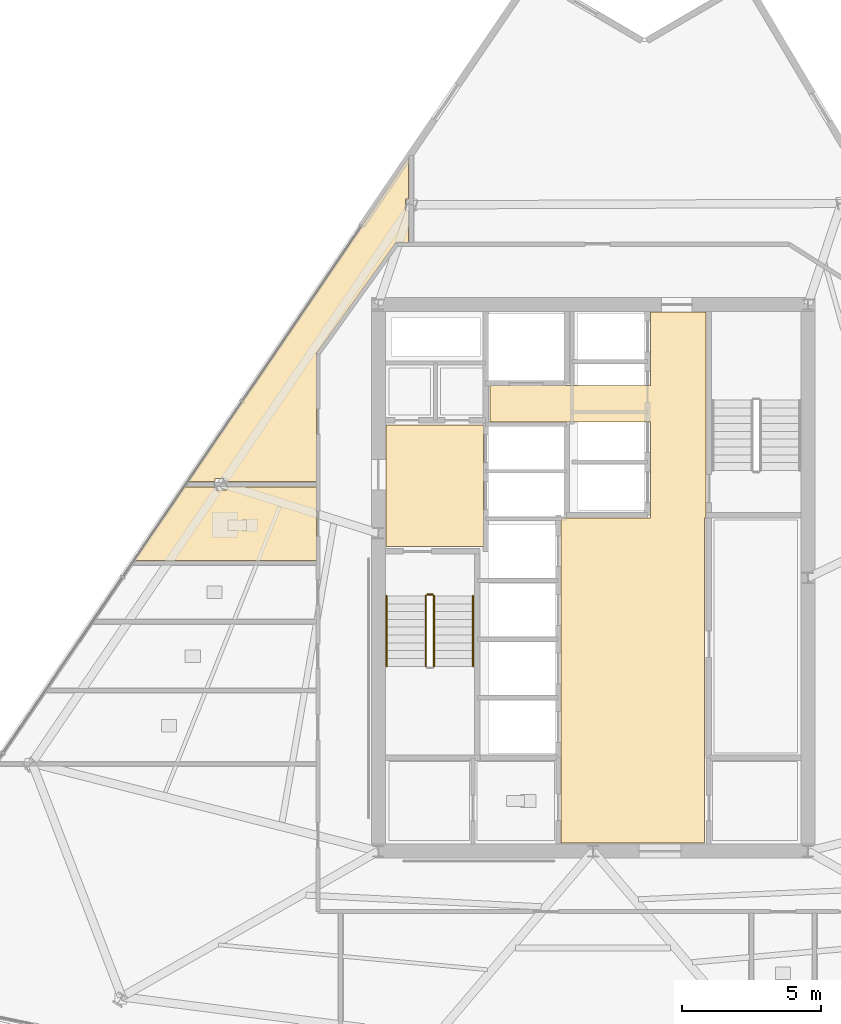
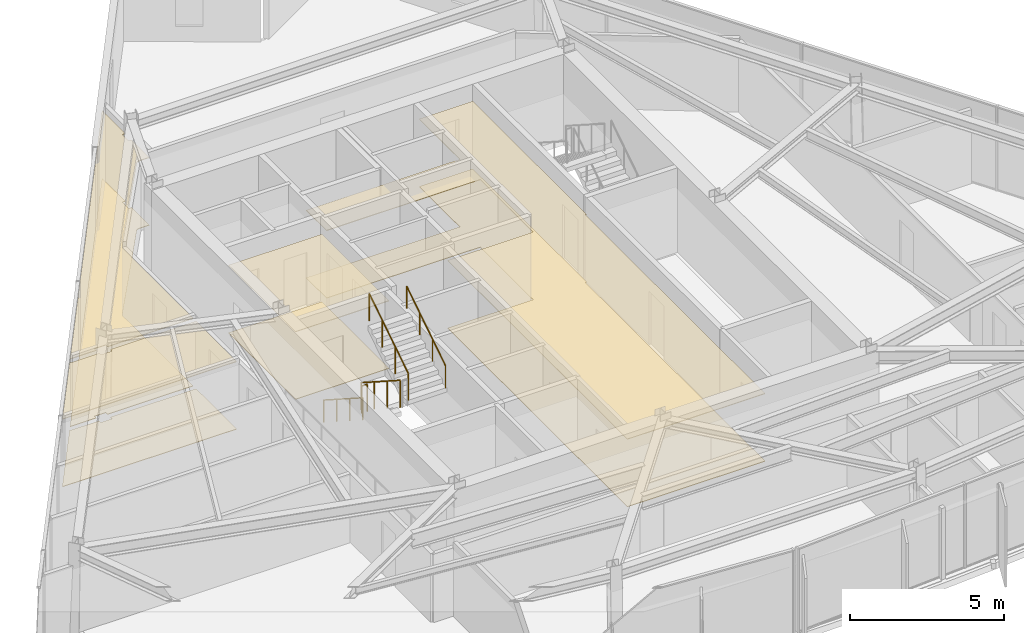
# One storey, part 12 of 15: 8 coverings, 5 railings.
"""IFC4 building model written with IfcOpenShell, lengths in metres."""

from ifc_helpers import new_model, si_unit, direction, frame, origin, origin_2d, place, context, subcontext, project, spatial, polyline, circle, outline, extrude, material, layer, layer_set, type_object, element, save


model = new_model("IFC4")

# Units and contexts
model_context = context("Model", 3, precision=1e-05, world=origin(), true_north=direction((0.0, 1.0)))
body_context = subcontext(model_context, "Body", "Model", "MODEL_VIEW")
ifc_project = project(units=[si_unit("LENGTHUNIT", "METRE"), si_unit("AREAUNIT", "SQUARE_METRE"), si_unit("VOLUMEUNIT", "CUBIC_METRE"), si_unit("PLANEANGLEUNIT", "RADIAN"), si_unit("MASSUNIT", "GRAM", prefix="KILO")], contexts=[model_context])

# Site, building, storey
site_placement = place(None, origin())
site = spatial("IfcSite", under=ifc_project, at=site_placement, CompositionType="ELEMENT")
building_placement = place(site_placement, origin())
building = spatial("IfcBuilding", under=site, at=building_placement, Name="Savorim Split Tower", CompositionType="ELEMENT")
storey_placement = place(building_placement, frame((0.0, 0.0, 198.300048828125)))
storey = spatial("IfcBuildingStorey", under=building, at=storey_placement, Name="L52", CompositionType="ELEMENT", Elevation=198.300048828125)

# Coverings
ifc_material_1 = material(Name="Mineral Fibre Acoustic Ceiling")
ifc_layer_1 = layer(ifc_material_1, 0.02490234375)
ifc_layer_set_1 = layer_set([ifc_layer_1], Name="COV-CEIL-25")
covering_type_1 = type_object("IfcCoveringType", Name="COV-CEIL-25", PredefinedType="CEILING", material=ifc_layer_set_1)
covering_1_placement = place(storey_placement, frame((0.0, 0.0, 2.669921875)))
element("IfcCovering", 1, at=covering_1_placement, inside=storey, type_object=covering_type_1, Name="L52 Firefighting Lift Lobby Acoustic Ceiling", PredefinedType="CEILING", context=body_context, shape_type="SweptSolid", body=[
    extrude(outline(polyline([(-7.429931640625, 5.8701171875), (-7.429931640625, 1.530029296875), (-3.929931640625, 1.530029296875), (-3.929931640625, 5.8701171875), (-7.429931640625, 5.8701171875)])), origin(), (0.0, 0.0, 1.0), 0.025146484375),
])
covering_2_placement = place(storey_placement, frame((0.0, 0.0, 2.669921875)))
element("IfcCovering", 2, at=covering_2_placement, inside=storey, type_object=covering_type_1, Name="L52 Lift Lobby Acoustic Ceiling", PredefinedType="CEILING", context=body_context, shape_type="SweptSolid", body=[
    extrude(outline(polyline([(2.050048828125, 2.550048828125), (-1.14990234375, 2.550048828125), (-1.14990234375, -9.10009765625), (4.0, -9.10009765625), (4.0, 2.550048828125), (4.050048828125, 2.550048828125), (4.050048828125, 5.97998046875), (4.050048828125, 7.300048828125), (4.050048828125, 9.929931640625), (2.050048828125, 9.929931640625), (2.050048828125, 7.300048828125), (-3.699951171875, 7.300048828125), (-3.699951171875, 5.97998046875), (2.050048828125, 5.97998046875), (2.050048828125, 2.550048828125)])), origin(), (0.0, 0.0, 1.0), 0.025146484375),
])
covering_3_placement = place(storey_placement, frame((0.0, 0.0, 2.669921875)))
element("IfcCovering", 3, at=covering_3_placement, inside=storey, type_object=covering_type_1, Name="L52 Co-Living Bedroom Acoustic Ceiling", PredefinedType="CEILING", context=body_context, shape_type="SweptSolid", body=[
    extrude(outline(polyline([(-7.01318359375, 12.41943359375), (-7.0, 12.419921875), (-6.61376953125, 12.419921875), (-6.61376953125, 13.572509765625), (-6.727783203125, 13.572509765625), (-6.727783203125, 13.9794921875), (-6.61376953125, 13.9794921875), (-6.61376953125, 15.48095703125), (-14.52880859375, 3.845703125), (-13.547607421875, 3.845703125), (-13.547607421875, 3.9541015625), (-13.129638671875, 3.9541015625), (-13.129638671875, 3.845703125), (-9.919921875, 3.845703125), (-9.919921875, 8.39990234375), (-9.919189453125, 8.41455078125), (-9.9169921875, 8.4287109375), (-9.913330078125, 8.44287109375), (-9.908203125, 8.456298828125), (-9.901611328125, 8.46923828125), (-9.893798828125, 8.4814453125), (-7.11376953125, 12.361572265625), (-7.105712890625, 12.3720703125), (-7.096435546875, 12.381591796875), (-7.086181640625, 12.39013671875), (-7.075439453125, 12.39794921875), (-7.06396484375, 12.404541015625), (-7.052001953125, 12.409912109375), (-7.039306640625, 12.414306640625), (-7.0263671875, 12.41748046875), (-7.01318359375, 12.41943359375)])), origin(), (0.0, 0.0, 1.0), 0.025146484375),
])
covering_4_placement = place(storey_placement, frame((0.0, 0.0, 2.669921875)))
element("IfcCovering", 4, at=covering_4_placement, inside=storey, type_object=covering_type_1, Name="L52 Shared Bathroom Acoustic Ceiling", PredefinedType="CEILING", context=body_context, shape_type="SweptSolid", body=[
    extrude(outline(polyline([(-13.547607421875, 3.65576171875), (-14.532958984375, 3.65576171875), (-14.6279296875, 3.65576171875), (-14.6279296875, 3.699951171875), (-16.4443359375, 1.030029296875), (-9.919921875, 1.030029296875), (-9.919921875, 3.65576171875), (-13.129638671875, 3.65576171875), (-13.129638671875, 3.547119140625), (-13.547607421875, 3.547119140625), (-13.547607421875, 3.65576171875)])), origin(), (0.0, 0.0, 1.0), 0.025146484375),
])
ifc_material_2 = material(Name="Porcelain Stoneware Flooring", Category="masonry")
ifc_layer_2 = layer(ifc_material_2, 0.02001953125)
ifc_layer_set_2 = layer_set([ifc_layer_2], Name="COV-FLOR-20")
covering_type_2 = type_object("IfcCoveringType", Name="COV-FLOR-20", PredefinedType="FLOORING", material=ifc_layer_set_2)
covering_5_placement = place(storey_placement, origin())
element("IfcCovering", 5, at=covering_5_placement, inside=storey, type_object=covering_type_2, Name="L52 Firefighting Lift Lobby Porcelain Flooring", PredefinedType="FLOORING", context=body_context, shape_type="SweptSolid", body=[
    extrude(outline(polyline([(-7.429931640625, 5.8701171875), (-7.429931640625, 1.530029296875), (-3.929931640625, 1.530029296875), (-3.929931640625, 5.8701171875), (-7.429931640625, 5.8701171875)])), origin(), (0.0, 0.0, 1.0), 0.02001953125),
])
covering_6_placement = place(storey_placement, origin())
element("IfcCovering", 6, at=covering_6_placement, inside=storey, type_object=covering_type_2, Name="L52 Lift Lobby Porcelain Flooring", PredefinedType="FLOORING", context=body_context, shape_type="SweptSolid", body=[
    extrude(outline(polyline([(2.050048828125, 2.550048828125), (-1.14990234375, 2.550048828125), (-1.14990234375, -9.10009765625), (4.0, -9.10009765625), (4.0, 2.550048828125), (4.050048828125, 2.550048828125), (4.050048828125, 5.97998046875), (4.050048828125, 7.300048828125), (4.050048828125, 9.929931640625), (2.050048828125, 9.929931640625), (2.050048828125, 7.300048828125), (-3.699951171875, 7.300048828125), (-3.699951171875, 5.97998046875), (2.050048828125, 5.97998046875), (2.050048828125, 2.550048828125)])), origin(), (0.0, 0.0, 1.0), 0.02001953125),
])
covering_7_placement = place(storey_placement, origin())
element("IfcCovering", 7, at=covering_7_placement, inside=storey, type_object=covering_type_2, Name="L52 Co-Living Bedroom Porcelain Flooring", PredefinedType="FLOORING", context=body_context, shape_type="SweptSolid", body=[
    extrude(outline(polyline([(-7.01318359375, 12.41943359375), (-7.0, 12.419921875), (-6.61376953125, 12.419921875), (-6.61376953125, 13.572509765625), (-6.727783203125, 13.572509765625), (-6.727783203125, 13.9794921875), (-6.61376953125, 13.9794921875), (-6.61376953125, 15.48095703125), (-14.52880859375, 3.845703125), (-13.547607421875, 3.845703125), (-13.547607421875, 3.9541015625), (-13.129638671875, 3.9541015625), (-13.129638671875, 3.845703125), (-9.919921875, 3.845703125), (-9.919921875, 8.39990234375), (-9.919189453125, 8.41455078125), (-9.9169921875, 8.4287109375), (-9.913330078125, 8.44287109375), (-9.908203125, 8.456298828125), (-9.901611328125, 8.46923828125), (-9.893798828125, 8.4814453125), (-7.11376953125, 12.361572265625), (-7.105712890625, 12.3720703125), (-7.096435546875, 12.381591796875), (-7.086181640625, 12.39013671875), (-7.075439453125, 12.39794921875), (-7.06396484375, 12.404541015625), (-7.052001953125, 12.409912109375), (-7.039306640625, 12.414306640625), (-7.0263671875, 12.41748046875), (-7.01318359375, 12.41943359375)])), origin(), (0.0, 0.0, 1.0), 0.02001953125),
])
covering_8_placement = place(storey_placement, origin())
element("IfcCovering", 8, at=covering_8_placement, inside=storey, type_object=covering_type_2, Name="L52 Shared Bathroom Porcelain Flooring", PredefinedType="FLOORING", context=body_context, shape_type="SweptSolid", body=[
    extrude(outline(polyline([(-13.547607421875, 3.65576171875), (-14.532958984375, 3.65576171875), (-14.6279296875, 3.65576171875), (-14.6279296875, 3.699951171875), (-16.4443359375, 1.030029296875), (-9.919921875, 1.030029296875), (-9.919921875, 3.65576171875), (-13.129638671875, 3.65576171875), (-13.129638671875, 3.547119140625), (-13.547607421875, 3.547119140625), (-13.547607421875, 3.65576171875)])), origin(), (0.0, 0.0, 1.0), 0.02001953125),
])

# Railings
ifc_material_3 = material(Name="Galvanised Painted Steel Balustrade", Category="steel")
railing_type_1 = type_object("IfcRailingType", Name="RLG-HR-900", PredefinedType="HANDRAIL", material=ifc_material_3)
railing_1_placement = place(storey_placement, frame((-7.39990234375, -0.25, 0.179931640625)))
element("IfcRailing", 9, at=railing_1_placement, inside=storey, type_object=railing_type_1, Name="L52 ST-1 stair handrail 1", PredefinedType="HANDRAIL", context=body_context, shape_type="SweptSolid", body=[
    extrude(circle(Radius=0.02392578125, at=origin_2d()), frame((0.0, 0.0, 0.8759765625), z_axis=(0.0, -0.841162588446, 0.540782303519), x_axis=(1.0, 0.0, 0.0)), (0.0, 0.0, 1.0), 2.995849609375),
    extrude(circle(Radius=0.02099609375, at=origin_2d()), origin(), (0.0, 0.0, 1.0), 0.851806640625),
    extrude(circle(Radius=0.02099609375, at=origin_2d()), frame((0.0, -0.840087890625, 0.5400390625)), (0.0, 0.0, 1.0), 0.851806640625),
    extrude(circle(Radius=0.02099609375, at=origin_2d()), frame((0.0, -1.679931640625, 1.080078125)), (0.0, 0.0, 1.0), 0.851806640625),
    extrude(circle(Radius=0.02099609375, at=origin_2d()), frame((0.0, -2.52001953125, 1.6201171875)), (0.0, 0.0, 1.0), 0.851806640625),
])
railing_2_placement = place(storey_placement, frame((-4.300048828125, -2.77001953125, 1.97998046875)))
element("IfcRailing", 10, at=railing_2_placement, inside=storey, type_object=railing_type_1, Name="L52 ST-1 stair handrail 2", PredefinedType="HANDRAIL", context=body_context, shape_type="SweptSolid", body=[
    extrude(circle(Radius=0.02392578125, at=origin_2d()), frame((0.0, 0.0, 0.8759765625), z_axis=(0.0, 0.841199657755, 0.540724639528), x_axis=(-1.0, 0.0, 0.0)), (0.0, 0.0, 1.0), 2.995849609375),
    extrude(circle(Radius=0.02099609375, at=origin_2d()), origin(), (0.0, 0.0, 1.0), 0.851806640625),
    extrude(circle(Radius=0.02099609375, at=origin_2d()), frame((0.0, 0.840087890625, 0.5400390625)), (0.0, 0.0, 1.0), 0.851806640625),
    extrude(circle(Radius=0.02099609375, at=origin_2d()), frame((0.0, 1.679931640625, 1.079833984375)), (0.0, 0.0, 1.0), 0.851806640625),
    extrude(circle(Radius=0.02099609375, at=origin_2d()), frame((0.0, 2.52001953125, 1.619873046875)), (0.0, 0.0, 1.0), 0.851806640625),
])
railing_type_2 = type_object("IfcRailingType", Name="RLG-STG-1100", PredefinedType="BALUSTRADE", material=ifc_material_3)
railing_3_placement = place(storey_placement, frame((-6.0, -0.25, 0.179931640625)))
element("IfcRailing", 11, at=railing_3_placement, inside=storey, type_object=railing_type_2, Name="L52 ST-1 stair guard 1", PredefinedType="BALUSTRADE", context=body_context, shape_type="SweptSolid", body=[
    extrude(circle(Radius=0.02392578125, at=origin_2d()), frame((0.0, 0.0, 1.076171875), z_axis=(0.0, -0.841162588446, 0.540782303519), x_axis=(1.0, 0.0, 0.0)), (0.0, 0.0, 1.0), 2.995849609375),
    extrude(circle(Radius=0.02099609375, at=origin_2d()), origin(), (0.0, 0.0, 1.0), 1.052001953125),
    extrude(circle(Radius=0.02099609375, at=origin_2d()), frame((0.0, -0.840087890625, 0.5400390625)), (0.0, 0.0, 1.0), 1.052001953125),
    extrude(circle(Radius=0.02099609375, at=origin_2d()), frame((0.0, -1.679931640625, 1.080078125)), (0.0, 0.0, 1.0), 1.052001953125),
    extrude(circle(Radius=0.02099609375, at=origin_2d()), frame((0.0, -2.52001953125, 1.6201171875)), (0.0, 0.0, 1.0), 1.052001953125),
])
railing_4_placement = place(storey_placement, frame((-5.699951171875, -2.77001953125, 1.97998046875)))
element("IfcRailing", 12, at=railing_4_placement, inside=storey, type_object=railing_type_2, Name="L52 ST-1 stair guard 3", PredefinedType="BALUSTRADE", context=body_context, shape_type="SweptSolid", body=[
    extrude(circle(Radius=0.02392578125, at=origin_2d()), frame((0.0, 0.0, 1.076171875), z_axis=(0.0, 0.841199657755, 0.540724639528), x_axis=(-1.0, 0.0, 0.0)), (0.0, 0.0, 1.0), 2.995849609375),
    extrude(circle(Radius=0.02099609375, at=origin_2d()), origin(), (0.0, 0.0, 1.0), 1.052001953125),
    extrude(circle(Radius=0.02099609375, at=origin_2d()), frame((0.0, 0.840087890625, 0.5400390625)), (0.0, 0.0, 1.0), 1.052001953125),
    extrude(circle(Radius=0.02099609375, at=origin_2d()), frame((0.0, 1.679931640625, 1.079833984375)), (0.0, 0.0, 1.0), 1.052001953125),
    extrude(circle(Radius=0.02099609375, at=origin_2d()), frame((0.0, 2.52001953125, 1.619873046875)), (0.0, 0.0, 1.0), 1.052001953125),
])
railing_5_placement = place(storey_placement, frame((-5.949951171875, -0.199951171875, 0.0)))
element("IfcRailing", 13, at=railing_5_placement, inside=storey, type_object=railing_type_2, Name="L52 ST-1 stair guard 4", PredefinedType="BALUSTRADE", context=body_context, shape_type="SweptSolid", body=[
    extrude(circle(Radius=0.02392578125, at=origin_2d()), frame((0.0, 0.0, 1.076171875), z_axis=(1.0, 0.0, 0.0), x_axis=(0.0, 1.0, 0.0)), (0.0, 0.0, 1.0), 0.199951171875),
    extrude(circle(Radius=0.02099609375, at=origin_2d()), origin(), (0.0, 0.0, 1.0), 1.052001953125),
    extrude(circle(Radius=0.02099609375, at=origin_2d()), frame((0.199951171875, 0.0, 0.0)), (0.0, 0.0, 1.0), 1.052001953125),
])

save(model, "model.ifc")
